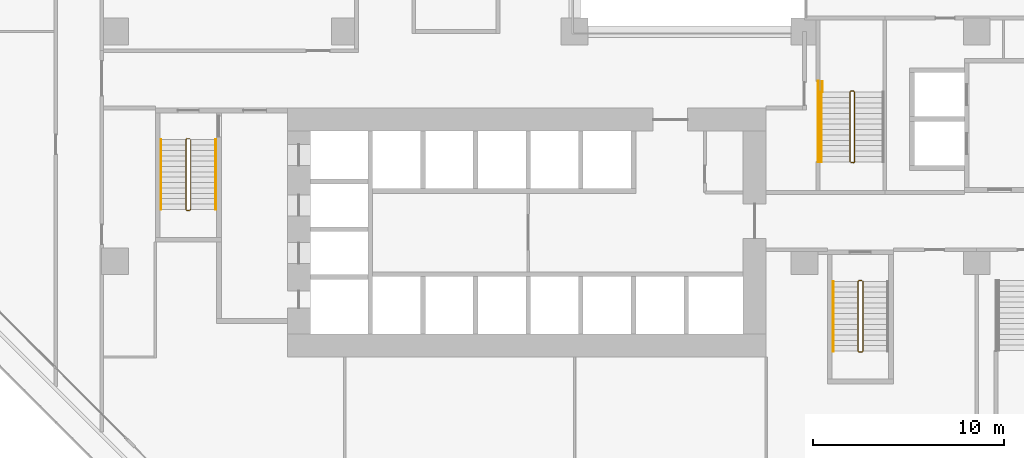
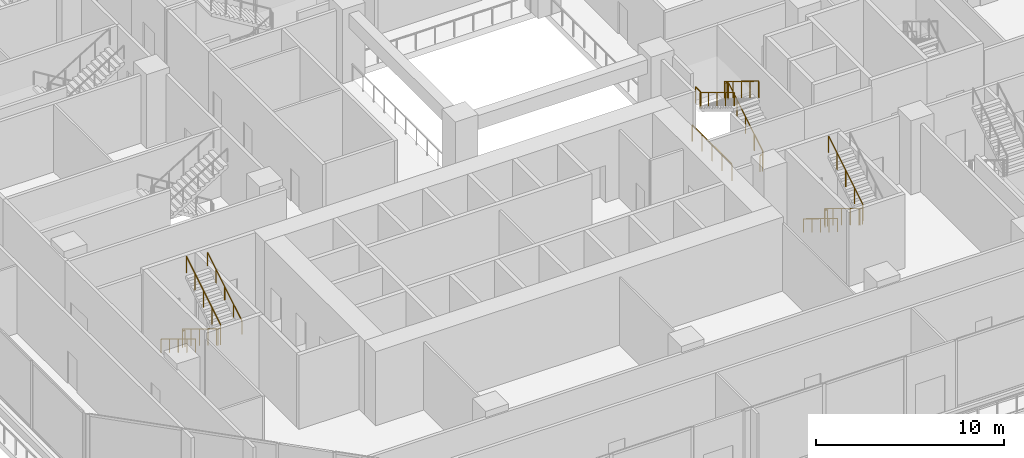
# One storey, part 20 of 25: 9 railings.
"""IFC4 building model written with IfcOpenShell, lengths in metres."""

from ifc_helpers import new_model, si_unit, direction, frame, origin, origin_2d, place, context, subcontext, project, spatial, rectangle, extrude, material, type_object, element, save


model = new_model("IFC4")

# Units and contexts
model_context = context("Model", 3, precision=1e-05, world=origin(), true_north=direction((0.0, 1.0)))
body_context = subcontext(model_context, "Body", "Model", "MODEL_VIEW")
ifc_project = project(units=[si_unit("LENGTHUNIT", "METRE"), si_unit("AREAUNIT", "SQUARE_METRE"), si_unit("VOLUMEUNIT", "CUBIC_METRE"), si_unit("PLANEANGLEUNIT", "RADIAN"), si_unit("MASSUNIT", "GRAM", prefix="KILO")], contexts=[model_context])

# Site, building, storey
site_placement = place(None, origin())
site = spatial("IfcSite", under=ifc_project, at=site_placement, CompositionType="ELEMENT")
building_placement = place(site_placement, origin())
building = spatial("IfcBuilding", under=site, at=building_placement, Name="Chenar Terraces", CompositionType="ELEMENT")
storey_placement = place(building_placement, frame((0.0, 0.0, 21.60009765625)))
storey = spatial("IfcBuildingStorey", under=building, at=storey_placement, Name="L04", CompositionType="ELEMENT", Elevation=21.60009765625)

# Railings
ifc_material_1 = material(Name="Powder-coated steel", Category="steel")
railing_type_1 = type_object("IfcRailingType", Name="Stair guard 1100", PredefinedType="GUARDRAIL", material=ifc_material_1)
railing_1_placement = place(storey_placement, frame((3.949951171875, 18.35009765625, 4.7998046875)))
element("IfcRailing", 1, at=railing_1_placement, inside=storey, type_object=railing_type_1, Name="L04 ST1 stair guard 1", PredefinedType="GUARDRAIL", context=body_context, shape_type="SweptSolid", body=[
    extrude(rectangle(XDim=0.048095703125, YDim=0.048095703125, at=origin_2d()), frame((0.0, 0.0, 1.076171875), z_axis=(0.0, -0.852865859571, -0.52213008492), x_axis=(1.0, 0.0, 0.0)), (0.0, 0.0, 1.0), 4.26806640625),
    extrude(rectangle(XDim=0.048095703125, YDim=0.048095703125, at=origin_2d()), frame((0.0, -3.64013671875, -1.15234375), z_axis=(-0.269911200495, -0.269911200495, -0.924281281696), x_axis=(0.707106781187, -0.707106781187, 0.0)), (0.0, 0.0, 1.0), 0.185546875),
    extrude(rectangle(XDim=0.048095703125, YDim=0.048095703125, at=origin_2d()), frame((-0.050048828125, -3.690185546875, -1.32373046875), z_axis=(-1.0, 0.0, 0.0), x_axis=(0.0, -1.0, 0.0)), (0.0, 0.0, 1.0), 0.14990234375),
    extrude(rectangle(XDim=0.048095703125, YDim=0.048095703125, at=origin_2d()), frame((-0.199951171875, -3.690185546875, -1.32373046875), z_axis=(-0.707106781187, 0.707106781187, 0.0), x_axis=(-0.707106781187, -0.707106781187, 0.0)), (0.0, 0.0, 1.0), 0.07080078125),
    extrude(rectangle(XDim=0.048095703125, YDim=0.048095703125, at=origin_2d()), frame((-0.25, -3.64013671875, -1.32373046875), z_axis=(0.0, 0.852865859571, -0.52213008492), x_axis=(-1.0, 0.0, 0.0)), (0.0, 0.0, 1.0), 4.26806640625),
    extrude(rectangle(XDim=0.048095703125, YDim=0.048095703125, at=origin_2d()), frame((-0.25, 0.0, -3.55224609375), z_axis=(0.270006937388, 0.268689830376, -0.924609122178), x_axis=(-0.705375805398, 0.708833529934, 0.0)), (0.0, 0.0, 1.0), 0.185302734375),
    extrude(rectangle(XDim=0.048095703125, YDim=0.048095703125, at=origin_2d()), frame((-0.199951171875, 0.0498046875, -3.7236328125), z_axis=(1.0, 0.0, 0.0), x_axis=(0.0, 1.0, 0.0)), (0.0, 0.0, 1.0), 0.14990234375),
    extrude(rectangle(XDim=0.0419921875, YDim=0.0419921875, at=origin_2d()), origin(), (0.0, 0.0, 1.0), 1.052001953125),
    extrude(rectangle(XDim=0.0419921875, YDim=0.0419921875, at=origin_2d()), frame((0.0, -0.91015625, -0.55712890625)), (0.0, 0.0, 1.0), 1.052001953125),
    extrude(rectangle(XDim=0.0419921875, YDim=0.0419921875, at=origin_2d()), frame((0.0, -1.820068359375, -1.1142578125)), (0.0, 0.0, 1.0), 1.052001953125),
    extrude(rectangle(XDim=0.0419921875, YDim=0.0419921875, at=origin_2d()), frame((0.0, -2.72998046875, -1.67138671875)), (0.0, 0.0, 1.0), 1.052001953125),
    extrude(rectangle(XDim=0.0419921875, YDim=0.0419921875, at=origin_2d()), frame((0.0, -3.64013671875, -2.228515625)), (0.0, 0.0, 1.0), 1.052001953125),
    extrude(rectangle(XDim=0.0419921875, YDim=0.0419921875, at=origin_2d()), frame((-0.050048828125, -3.690185546875, -2.39990234375)), (0.0, 0.0, 1.0), 1.052001953125),
    extrude(rectangle(XDim=0.0419921875, YDim=0.0419921875, at=origin_2d()), frame((-0.199951171875, -3.690185546875, -2.39990234375)), (0.0, 0.0, 1.0), 1.052001953125),
    extrude(rectangle(XDim=0.0419921875, YDim=0.0419921875, at=origin_2d()), frame((-0.25, -3.64013671875, -2.39990234375)), (0.0, 0.0, 1.0), 1.052001953125),
    extrude(rectangle(XDim=0.0419921875, YDim=0.0419921875, at=origin_2d()), frame((-0.25, -2.72998046875, -2.95703125)), (0.0, 0.0, 1.0), 1.052001953125),
    extrude(rectangle(XDim=0.0419921875, YDim=0.0419921875, at=origin_2d()), frame((-0.25, -1.820068359375, -3.51416015625)), (0.0, 0.0, 1.0), 1.052001953125),
    extrude(rectangle(XDim=0.0419921875, YDim=0.0419921875, at=origin_2d()), frame((-0.25, -0.91015625, -4.0712890625)), (0.0, 0.0, 1.0), 1.052001953125),
    extrude(rectangle(XDim=0.0419921875, YDim=0.0419921875, at=origin_2d()), frame((-0.25, 0.0, -4.62841796875)), (0.0, 0.0, 1.0), 1.052001953125),
    extrude(rectangle(XDim=0.0419921875, YDim=0.0419921875, at=origin_2d()), frame((-0.199951171875, 0.0498046875, -4.7998046875)), (0.0, 0.0, 1.0), 1.052001953125),
    extrude(rectangle(XDim=0.0419921875, YDim=0.0419921875, at=origin_2d()), frame((-0.050048828125, 0.0498046875, -4.7998046875)), (0.0, 0.0, 1.0), 1.052001953125),
])
railing_2_placement = place(storey_placement, frame((39.050048828125, 10.949951171875, 4.7998046875)))
element("IfcRailing", 2, at=railing_2_placement, inside=storey, type_object=railing_type_1, Name="L04 ST2 stair guard 1", PredefinedType="GUARDRAIL", context=body_context, shape_type="SweptSolid", body=[
    extrude(rectangle(XDim=0.048095703125, YDim=0.048095703125, at=origin_2d()), frame((0.0, 0.0, 1.076171875), z_axis=(0.0, -0.852850264322, -0.5221555579), x_axis=(1.0, 0.0, 0.0)), (0.0, 0.0, 1.0), 4.267822265625),
    extrude(rectangle(XDim=0.048095703125, YDim=0.048095703125, at=origin_2d()), frame((0.0, -3.639892578125, -1.15234375), z_axis=(-0.269911200495, -0.269911200495, -0.924281281696), x_axis=(0.707106781187, -0.707106781187, 0.0)), (0.0, 0.0, 1.0), 0.185546875),
    extrude(rectangle(XDim=0.048095703125, YDim=0.048095703125, at=origin_2d()), frame((-0.050048828125, -3.68994140625, -1.32373046875), z_axis=(-1.0, 0.0, 0.0), x_axis=(0.0, -1.0, 0.0)), (0.0, 0.0, 1.0), 0.14990234375),
    extrude(rectangle(XDim=0.048095703125, YDim=0.048095703125, at=origin_2d()), frame((-0.199951171875, -3.68994140625, -1.32373046875), z_axis=(-0.707106781187, 0.707106781187, 0.0), x_axis=(-0.707106781187, -0.707106781187, 0.0)), (0.0, 0.0, 1.0), 0.07080078125),
    extrude(rectangle(XDim=0.048095703125, YDim=0.048095703125, at=origin_2d()), frame((-0.25, -3.639892578125, -1.32373046875), z_axis=(0.0, 0.852850264322, -0.5221555579), x_axis=(-1.0, 0.0, 0.0)), (0.0, 0.0, 1.0), 4.267822265625),
    extrude(rectangle(XDim=0.048095703125, YDim=0.048095703125, at=origin_2d()), frame((-0.25, 0.0, -3.55224609375), z_axis=(0.269911200495, 0.269911200495, -0.924281281696), x_axis=(-0.707106781187, 0.707106781187, 0.0)), (0.0, 0.0, 1.0), 0.185546875),
    extrude(rectangle(XDim=0.048095703125, YDim=0.048095703125, at=origin_2d()), frame((-0.199951171875, 0.050048828125, -3.7236328125), z_axis=(1.0, 0.0, 0.0), x_axis=(0.0, 1.0, 0.0)), (0.0, 0.0, 1.0), 0.14990234375),
    extrude(rectangle(XDim=0.0419921875, YDim=0.0419921875, at=origin_2d()), origin(), (0.0, 0.0, 1.0), 1.052001953125),
    extrude(rectangle(XDim=0.0419921875, YDim=0.0419921875, at=origin_2d()), frame((0.0, -0.909912109375, -0.55712890625)), (0.0, 0.0, 1.0), 1.052001953125),
    extrude(rectangle(XDim=0.0419921875, YDim=0.0419921875, at=origin_2d()), frame((0.0, -1.81982421875, -1.1142578125)), (0.0, 0.0, 1.0), 1.052001953125),
    extrude(rectangle(XDim=0.0419921875, YDim=0.0419921875, at=origin_2d()), frame((0.0, -2.72998046875, -1.67138671875)), (0.0, 0.0, 1.0), 1.052001953125),
    extrude(rectangle(XDim=0.0419921875, YDim=0.0419921875, at=origin_2d()), frame((0.0, -3.639892578125, -2.228515625)), (0.0, 0.0, 1.0), 1.052001953125),
    extrude(rectangle(XDim=0.0419921875, YDim=0.0419921875, at=origin_2d()), frame((-0.050048828125, -3.68994140625, -2.39990234375)), (0.0, 0.0, 1.0), 1.052001953125),
    extrude(rectangle(XDim=0.0419921875, YDim=0.0419921875, at=origin_2d()), frame((-0.199951171875, -3.68994140625, -2.39990234375)), (0.0, 0.0, 1.0), 1.052001953125),
    extrude(rectangle(XDim=0.0419921875, YDim=0.0419921875, at=origin_2d()), frame((-0.25, -3.639892578125, -2.39990234375)), (0.0, 0.0, 1.0), 1.052001953125),
    extrude(rectangle(XDim=0.0419921875, YDim=0.0419921875, at=origin_2d()), frame((-0.25, -2.72998046875, -2.95703125)), (0.0, 0.0, 1.0), 1.052001953125),
    extrude(rectangle(XDim=0.0419921875, YDim=0.0419921875, at=origin_2d()), frame((-0.25, -1.81982421875, -3.51416015625)), (0.0, 0.0, 1.0), 1.052001953125),
    extrude(rectangle(XDim=0.0419921875, YDim=0.0419921875, at=origin_2d()), frame((-0.25, -0.909912109375, -4.0712890625)), (0.0, 0.0, 1.0), 1.052001953125),
    extrude(rectangle(XDim=0.0419921875, YDim=0.0419921875, at=origin_2d()), frame((-0.25, 0.0, -4.62841796875)), (0.0, 0.0, 1.0), 1.052001953125),
    extrude(rectangle(XDim=0.0419921875, YDim=0.0419921875, at=origin_2d()), frame((-0.199951171875, 0.050048828125, -4.7998046875)), (0.0, 0.0, 1.0), 1.052001953125),
    extrude(rectangle(XDim=0.0419921875, YDim=0.0419921875, at=origin_2d()), frame((-0.050048828125, 0.050048828125, -4.7998046875)), (0.0, 0.0, 1.0), 1.052001953125),
])
railing_3_placement = place(storey_placement, frame((38.375, 17.199951171875, 4.7998046875)))
element("IfcRailing", 3, at=railing_3_placement, inside=storey, type_object=railing_type_1, Name="L04 PS1 stair guard 1", PredefinedType="GUARDRAIL", context=body_context, shape_type="SweptSolid", body=[
    extrude(rectangle(XDim=0.048095703125, YDim=0.048095703125, at=origin_2d()), frame((0.0, 0.0, 1.076171875), z_axis=(0.0, 0.852865859571, -0.52213008492), x_axis=(-1.0, 0.0, 0.0)), (0.0, 0.0, 1.0), 4.26806640625),
    extrude(rectangle(XDim=0.048095703125, YDim=0.048095703125, at=origin_2d()), frame((0.0, 3.64013671875, -1.15234375), z_axis=(0.270006937388, 0.268689830376, -0.924609122178), x_axis=(-0.705375805398, 0.708833529934, 0.0)), (0.0, 0.0, 1.0), 0.185302734375),
    extrude(rectangle(XDim=0.048095703125, YDim=0.048095703125, at=origin_2d()), frame((0.050048828125, 3.68994140625, -1.32373046875), z_axis=(1.0, 0.0, 0.0), x_axis=(0.0, 1.0, 0.0)), (0.0, 0.0, 1.0), 0.14990234375),
    extrude(rectangle(XDim=0.048095703125, YDim=0.048095703125, at=origin_2d()), frame((0.199951171875, 3.68994140625, -1.32373046875), z_axis=(0.708833529934, -0.705375805398, 0.0), x_axis=(0.705375805398, 0.708833529934, 0.0)), (0.0, 0.0, 1.0), 0.070556640625),
    extrude(rectangle(XDim=0.048095703125, YDim=0.048095703125, at=origin_2d()), frame((0.25, 3.64013671875, -1.32373046875), z_axis=(0.0, -0.852865859571, -0.52213008492), x_axis=(1.0, 0.0, 0.0)), (0.0, 0.0, 1.0), 4.26806640625),
    extrude(rectangle(XDim=0.048095703125, YDim=0.048095703125, at=origin_2d()), frame((0.25, 0.0, -3.55224609375), z_axis=(-0.269911200495, -0.269911200495, -0.924281281696), x_axis=(0.707106781187, -0.707106781187, 0.0)), (0.0, 0.0, 1.0), 0.185546875),
    extrude(rectangle(XDim=0.048095703125, YDim=0.048095703125, at=origin_2d()), frame((0.199951171875, -0.050048828125, -3.7236328125), z_axis=(-1.0, 0.0, 0.0), x_axis=(0.0, -1.0, 0.0)), (0.0, 0.0, 1.0), 0.14990234375),
    extrude(rectangle(XDim=0.0419921875, YDim=0.0419921875, at=origin_2d()), origin(), (0.0, 0.0, 1.0), 1.052001953125),
    extrude(rectangle(XDim=0.0419921875, YDim=0.0419921875, at=origin_2d()), frame((0.0, 0.91015625, -0.55712890625)), (0.0, 0.0, 1.0), 1.052001953125),
    extrude(rectangle(XDim=0.0419921875, YDim=0.0419921875, at=origin_2d()), frame((0.0, 1.820068359375, -1.1142578125)), (0.0, 0.0, 1.0), 1.052001953125),
    extrude(rectangle(XDim=0.0419921875, YDim=0.0419921875, at=origin_2d()), frame((0.0, 2.72998046875, -1.67138671875)), (0.0, 0.0, 1.0), 1.052001953125),
    extrude(rectangle(XDim=0.0419921875, YDim=0.0419921875, at=origin_2d()), frame((0.0, 3.64013671875, -2.228515625)), (0.0, 0.0, 1.0), 1.052001953125),
    extrude(rectangle(XDim=0.0419921875, YDim=0.0419921875, at=origin_2d()), frame((0.050048828125, 3.68994140625, -2.39990234375)), (0.0, 0.0, 1.0), 1.052001953125),
    extrude(rectangle(XDim=0.0419921875, YDim=0.0419921875, at=origin_2d()), frame((0.199951171875, 3.68994140625, -2.39990234375)), (0.0, 0.0, 1.0), 1.052001953125),
    extrude(rectangle(XDim=0.0419921875, YDim=0.0419921875, at=origin_2d()), frame((0.25, 3.64013671875, -2.39990234375)), (0.0, 0.0, 1.0), 1.052001953125),
    extrude(rectangle(XDim=0.0419921875, YDim=0.0419921875, at=origin_2d()), frame((0.25, 2.72998046875, -2.95703125)), (0.0, 0.0, 1.0), 1.052001953125),
    extrude(rectangle(XDim=0.0419921875, YDim=0.0419921875, at=origin_2d()), frame((0.25, 1.820068359375, -3.51416015625)), (0.0, 0.0, 1.0), 1.052001953125),
    extrude(rectangle(XDim=0.0419921875, YDim=0.0419921875, at=origin_2d()), frame((0.25, 0.91015625, -4.0712890625)), (0.0, 0.0, 1.0), 1.052001953125),
    extrude(rectangle(XDim=0.0419921875, YDim=0.0419921875, at=origin_2d()), frame((0.25, 0.0, -4.62841796875)), (0.0, 0.0, 1.0), 1.052001953125),
    extrude(rectangle(XDim=0.0419921875, YDim=0.0419921875, at=origin_2d()), frame((0.199951171875, -0.050048828125, -4.7998046875)), (0.0, 0.0, 1.0), 1.052001953125),
    extrude(rectangle(XDim=0.0419921875, YDim=0.0419921875, at=origin_2d()), frame((0.050048828125, -0.050048828125, -4.7998046875)), (0.0, 0.0, 1.0), 1.052001953125),
])
railing_4_placement = place(storey_placement, frame((36.72509765625, 21.39990234375, 0.0)))
element("IfcRailing", 4, at=railing_4_placement, inside=storey, type_object=railing_type_1, Name="L04 PS1 stair guard 101", PredefinedType="GUARDRAIL", context=body_context, shape_type="SweptSolid", body=[
    extrude(rectangle(XDim=0.048095703125, YDim=0.048095703125, at=origin_2d()), frame((0.0, 0.0, 1.076171875), z_axis=(0.0, -1.0, 0.0), x_axis=(1.0, 0.0, 0.0)), (0.0, 0.0, 1.0), 4.199951171875),
    extrude(rectangle(XDim=0.0419921875, YDim=0.0419921875, at=origin_2d()), origin(), (0.0, 0.0, 1.0), 1.052001953125),
    extrude(rectangle(XDim=0.0419921875, YDim=0.0419921875, at=origin_2d()), frame((0.0, -1.050048828125, 0.0)), (0.0, 0.0, 1.0), 1.052001953125),
    extrude(rectangle(XDim=0.0419921875, YDim=0.0419921875, at=origin_2d()), frame((0.0, -2.10009765625, 0.0)), (0.0, 0.0, 1.0), 1.052001953125),
    extrude(rectangle(XDim=0.0419921875, YDim=0.0419921875, at=origin_2d()), frame((0.0, -3.14990234375, 0.0)), (0.0, 0.0, 1.0), 1.052001953125),
    extrude(rectangle(XDim=0.0419921875, YDim=0.0419921875, at=origin_2d()), frame((0.0, -4.199951171875, 0.0)), (0.0, 0.0, 1.0), 1.052001953125),
])
railing_5_placement = place(storey_placement, frame((36.925048828125, 20.840087890625, 2.39990234375)))
element("IfcRailing", 5, at=railing_5_placement, inside=storey, type_object=railing_type_1, Name="L04 PS1 stair guard 201", PredefinedType="GUARDRAIL", context=body_context, shape_type="SweptSolid", body=[
    extrude(rectangle(XDim=0.048095703125, YDim=0.048095703125, at=origin_2d()), frame((0.0, 0.0, 1.076171875), z_axis=(0.0, 1.0, 0.0), x_axis=(-1.0, 0.0, 0.0)), (0.0, 0.0, 1.0), 0.55126953125),
    extrude(rectangle(XDim=0.0419921875, YDim=0.0419921875, at=origin_2d()), origin(), (0.0, 0.0, 1.0), 1.052001953125),
    extrude(rectangle(XDim=0.0419921875, YDim=0.0419921875, at=origin_2d()), frame((0.0, 0.55126953125, 0.0)), (0.0, 0.0, 1.0), 1.052001953125),
])
ifc_material_2 = material(Name="Powder-coated steel", Category="steel")
railing_type_2 = type_object("IfcRailingType", Name="Stair handrail 900", PredefinedType="HANDRAIL", material=ifc_material_2)
railing_6_placement = place(storey_placement, frame((2.39990234375, 18.35009765625, 0.17138671875)))
element("IfcRailing", 6, at=railing_6_placement, inside=storey, type_object=railing_type_2, Name="L04 ST1 stair handrail 1", PredefinedType="HANDRAIL", context=body_context, shape_type="SweptSolid", body=[
    extrude(rectangle(XDim=0.048095703125, YDim=0.048095703125, at=origin_2d()), frame((0.0, 0.0, 0.8759765625), z_axis=(0.0, -0.852865859571, 0.52213008492), x_axis=(1.0, 0.0, 0.0)), (0.0, 0.0, 1.0), 4.26806640625),
    extrude(rectangle(XDim=0.0419921875, YDim=0.0419921875, at=origin_2d()), origin(), (0.0, 0.0, 1.0), 0.851806640625),
    extrude(rectangle(XDim=0.0419921875, YDim=0.0419921875, at=origin_2d()), frame((0.0, -0.91015625, 0.55712890625)), (0.0, 0.0, 1.0), 0.851806640625),
    extrude(rectangle(XDim=0.0419921875, YDim=0.0419921875, at=origin_2d()), frame((0.0, -1.820068359375, 1.1142578125)), (0.0, 0.0, 1.0), 0.851806640625),
    extrude(rectangle(XDim=0.0419921875, YDim=0.0419921875, at=origin_2d()), frame((0.0, -2.72998046875, 1.67138671875)), (0.0, 0.0, 1.0), 0.851806640625),
    extrude(rectangle(XDim=0.0419921875, YDim=0.0419921875, at=origin_2d()), frame((0.0, -3.64013671875, 2.228515625)), (0.0, 0.0, 1.0), 0.851806640625),
])
railing_7_placement = place(storey_placement, frame((5.25, 14.7099609375, 2.5712890625)))
element("IfcRailing", 7, at=railing_7_placement, inside=storey, type_object=railing_type_2, Name="L04 ST1 stair handrail 2", PredefinedType="HANDRAIL", context=body_context, shape_type="SweptSolid", body=[
    extrude(rectangle(XDim=0.048095703125, YDim=0.048095703125, at=origin_2d()), frame((0.0, 0.0, 0.8759765625), z_axis=(0.0, 0.852865859571, 0.52213008492), x_axis=(-1.0, 0.0, 0.0)), (0.0, 0.0, 1.0), 4.26806640625),
    extrude(rectangle(XDim=0.0419921875, YDim=0.0419921875, at=origin_2d()), origin(), (0.0, 0.0, 1.0), 0.851806640625),
    extrude(rectangle(XDim=0.0419921875, YDim=0.0419921875, at=origin_2d()), frame((0.0, 0.91015625, 0.55712890625)), (0.0, 0.0, 1.0), 0.851806640625),
    extrude(rectangle(XDim=0.0419921875, YDim=0.0419921875, at=origin_2d()), frame((0.0, 1.820068359375, 1.1142578125)), (0.0, 0.0, 1.0), 0.851806640625),
    extrude(rectangle(XDim=0.0419921875, YDim=0.0419921875, at=origin_2d()), frame((0.0, 2.72998046875, 1.67138671875)), (0.0, 0.0, 1.0), 0.851806640625),
    extrude(rectangle(XDim=0.0419921875, YDim=0.0419921875, at=origin_2d()), frame((0.0, 3.64013671875, 2.228515625)), (0.0, 0.0, 1.0), 0.851806640625),
])
railing_8_placement = place(storey_placement, frame((37.5, 10.949951171875, 0.17138671875)))
element("IfcRailing", 8, at=railing_8_placement, inside=storey, type_object=railing_type_2, Name="L04 ST2 stair handrail 1", PredefinedType="HANDRAIL", context=body_context, shape_type="SweptSolid", body=[
    extrude(rectangle(XDim=0.048095703125, YDim=0.048095703125, at=origin_2d()), frame((0.0, 0.0, 0.8759765625), z_axis=(0.0, -0.852850264322, 0.5221555579), x_axis=(1.0, 0.0, 0.0)), (0.0, 0.0, 1.0), 4.267822265625),
    extrude(rectangle(XDim=0.0419921875, YDim=0.0419921875, at=origin_2d()), origin(), (0.0, 0.0, 1.0), 0.851806640625),
    extrude(rectangle(XDim=0.0419921875, YDim=0.0419921875, at=origin_2d()), frame((0.0, -0.909912109375, 0.55712890625)), (0.0, 0.0, 1.0), 0.851806640625),
    extrude(rectangle(XDim=0.0419921875, YDim=0.0419921875, at=origin_2d()), frame((0.0, -1.81982421875, 1.1142578125)), (0.0, 0.0, 1.0), 0.851806640625),
    extrude(rectangle(XDim=0.0419921875, YDim=0.0419921875, at=origin_2d()), frame((0.0, -2.72998046875, 1.67138671875)), (0.0, 0.0, 1.0), 0.851806640625),
    extrude(rectangle(XDim=0.0419921875, YDim=0.0419921875, at=origin_2d()), frame((0.0, -3.639892578125, 2.228515625)), (0.0, 0.0, 1.0), 0.851806640625),
])
railing_9_placement = place(storey_placement, frame((36.875, 20.840087890625, 2.5712890625)))
element("IfcRailing", 9, at=railing_9_placement, inside=storey, type_object=railing_type_2, Name="L04 PS1 stair handrail 2", PredefinedType="HANDRAIL", context=body_context, shape_type="SweptSolid", body=[
    extrude(rectangle(XDim=0.048095703125, YDim=0.048095703125, at=origin_2d()), frame((0.0, 0.0, 0.8759765625), z_axis=(0.0, -0.852865859571, 0.52213008492), x_axis=(1.0, 0.0, 0.0)), (0.0, 0.0, 1.0), 4.26806640625),
    extrude(rectangle(XDim=0.0419921875, YDim=0.0419921875, at=origin_2d()), origin(), (0.0, 0.0, 1.0), 0.851806640625),
    extrude(rectangle(XDim=0.0419921875, YDim=0.0419921875, at=origin_2d()), frame((0.0, -0.91015625, 0.55712890625)), (0.0, 0.0, 1.0), 0.851806640625),
    extrude(rectangle(XDim=0.0419921875, YDim=0.0419921875, at=origin_2d()), frame((0.0, -1.820068359375, 1.1142578125)), (0.0, 0.0, 1.0), 0.851806640625),
    extrude(rectangle(XDim=0.0419921875, YDim=0.0419921875, at=origin_2d()), frame((0.0, -2.72998046875, 1.67138671875)), (0.0, 0.0, 1.0), 0.851806640625),
    extrude(rectangle(XDim=0.0419921875, YDim=0.0419921875, at=origin_2d()), frame((0.0, -3.64013671875, 2.228515625)), (0.0, 0.0, 1.0), 0.851806640625),
])

save(model, "model.ifc")
